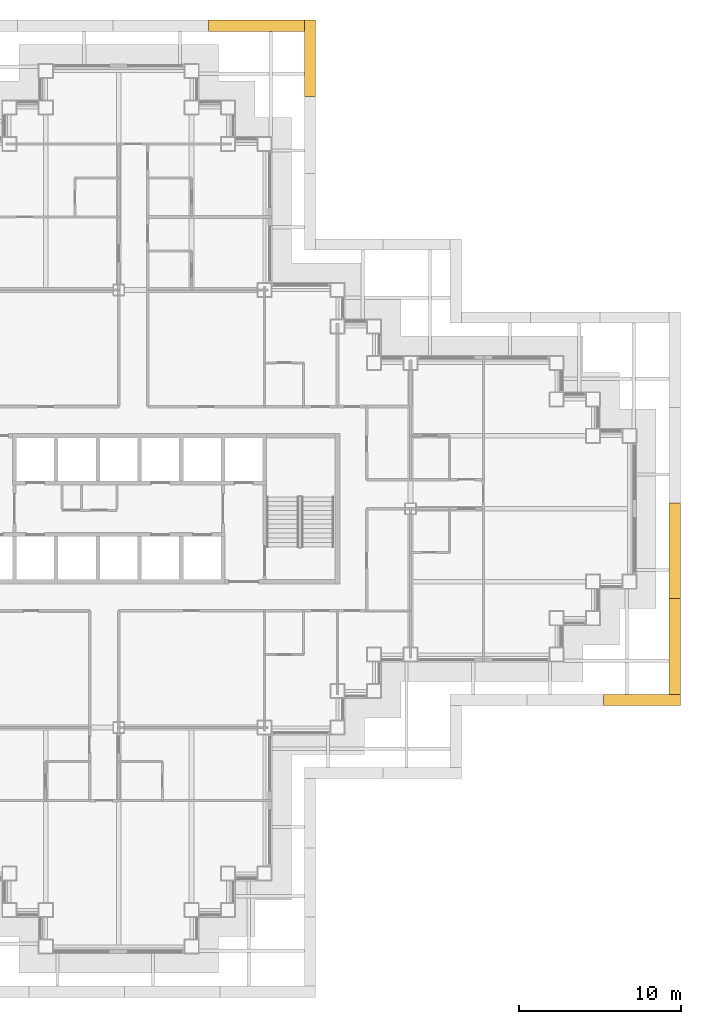
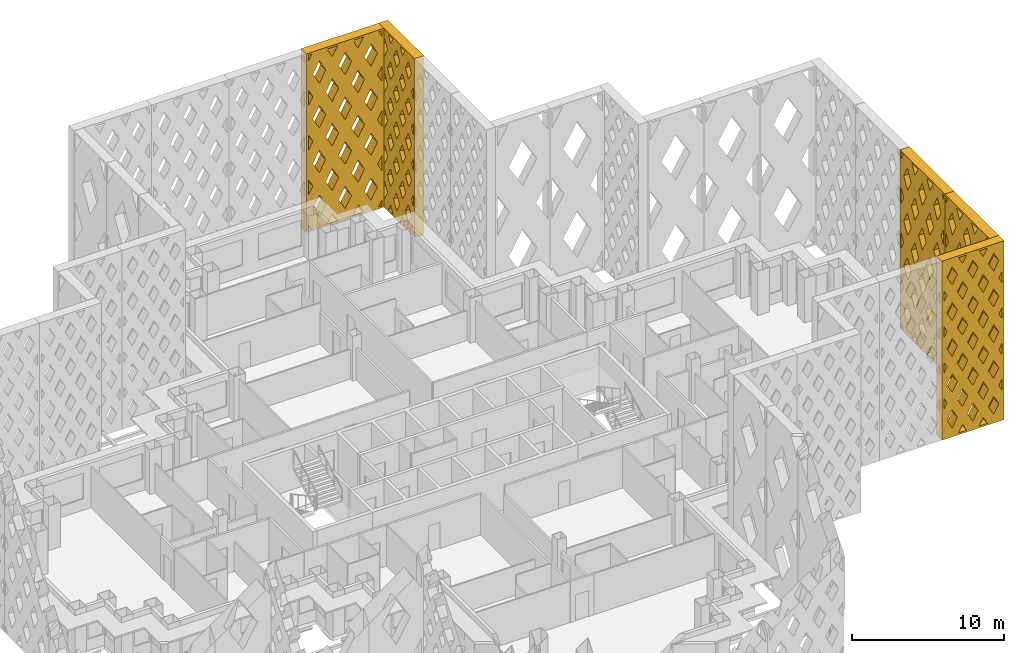
# One storey, part 20 of 21: 5 shading devices.
"""IFC4 building model written with IfcOpenShell, lengths in metres."""

from ifc_helpers import new_model, si_unit, direction, frame, origin, place, context, subcontext, project, spatial, polyline, outline, extrude, material, type_object, element, save


model = new_model("IFC4")

# Units and contexts
model_context = context("Model", 3, precision=1e-05, world=origin(), true_north=direction((0.0, 1.0)))
body_context = subcontext(model_context, "Body", "Model", "MODEL_VIEW")
ifc_project = project(units=[si_unit("LENGTHUNIT", "METRE"), si_unit("AREAUNIT", "SQUARE_METRE"), si_unit("VOLUMEUNIT", "CUBIC_METRE"), si_unit("PLANEANGLEUNIT", "RADIAN"), si_unit("MASSUNIT", "GRAM", prefix="KILO")], contexts=[model_context])

# Site, building, storey
site_placement = place(None, origin())
site = spatial("IfcSite", under=ifc_project, at=site_placement, CompositionType="ELEMENT")
building_placement = place(site_placement, origin())
building = spatial("IfcBuilding", under=site, at=building_placement, Name="Caravel Reach Hotel and Residences", CompositionType="ELEMENT")
storey_placement = place(building_placement, frame((0.0, 0.0, 115.199951171875)))
storey = spatial("IfcBuildingStorey", under=building, at=storey_placement, Name="L28", CompositionType="ELEMENT", Elevation=115.199951171875)

# Shading devices
ifc_material_1 = material(Name="Black powder-coated aluminium", Category="aluminium")
shading_device_type_1 = type_object("IfcShadingDeviceType", Name="Diamond lattice screen panel 4733 x 14400", PredefinedType="USERDEFINED", material=ifc_material_1)
shading_device_1_placement = place(storey_placement, frame((61.416748046875, 15.550048828125, 0.0), z_axis=(0.0, -1.0, 0.0), x_axis=(1.0, 0.0, 0.0)))
element("IfcShadingDevice", 1, at=shading_device_1_placement, inside=storey, type_object=shading_device_type_1, Name="Lattice screen L28-L31 6.3", ObjectType="SCREEN", PredefinedType="USERDEFINED", context=body_context, shape_type="SweptSolid", body=[
    extrude(outline(polyline([(0.0, 0.0), (4.7333984375, 0.0), (4.7333984375, 14.39990234375), (0.0, 14.39990234375), (0.0, 0.0)]), holes=[polyline([(0.39892578125, 2.8798828125), (0.14990234375, 3.334228515625), (0.14990234375, 2.42578125), (0.39892578125, 2.8798828125)]), polyline([(0.39892578125, 5.760009765625), (0.14990234375, 6.21435546875), (0.14990234375, 5.3056640625), (0.39892578125, 5.760009765625)]), polyline([(0.39892578125, 8.639892578125), (0.14990234375, 9.09423828125), (0.14990234375, 8.185791015625), (0.39892578125, 8.639892578125)]), polyline([(0.39892578125, 11.52001953125), (0.14990234375, 11.974365234375), (0.14990234375, 11.065673828125), (0.39892578125, 11.52001953125)]), polyline([(0.788818359375, 2.16796875), (0.39013671875, 1.43994140625), (0.788818359375, 0.7119140625), (1.187744140625, 1.43994140625), (0.788818359375, 2.16796875)]), polyline([(0.788818359375, 5.048095703125), (0.39013671875, 4.320068359375), (0.788818359375, 3.592041015625), (1.187744140625, 4.320068359375), (0.788818359375, 5.048095703125)]), polyline([(0.788818359375, 7.927978515625), (0.39013671875, 7.199951171875), (0.788818359375, 6.471923828125), (1.187744140625, 7.199951171875), (0.788818359375, 7.927978515625)]), polyline([(0.788818359375, 10.80810546875), (0.39013671875, 10.080078125), (0.788818359375, 9.35205078125), (1.187744140625, 10.080078125), (0.788818359375, 10.80810546875)]), polyline([(0.788818359375, 13.68798828125), (0.39013671875, 12.9599609375), (0.788818359375, 12.23193359375), (1.187744140625, 12.9599609375), (0.788818359375, 13.68798828125)]), polyline([(1.577880859375, 0.72802734375), (1.260986328125, 0.14990234375), (1.89453125, 0.14990234375), (1.577880859375, 0.72802734375)]), polyline([(1.577880859375, 3.608154296875), (1.178955078125, 2.8798828125), (1.577880859375, 2.15185546875), (1.9765625, 2.8798828125), (1.577880859375, 3.608154296875)]), polyline([(1.577880859375, 6.488037109375), (1.178955078125, 5.760009765625), (1.577880859375, 5.031982421875), (1.9765625, 5.760009765625), (1.577880859375, 6.488037109375)]), polyline([(1.577880859375, 9.3681640625), (1.178955078125, 8.639892578125), (1.577880859375, 7.911865234375), (1.9765625, 8.639892578125), (1.577880859375, 9.3681640625)]), polyline([(1.577880859375, 12.248046875), (1.178955078125, 11.52001953125), (1.577880859375, 10.7919921875), (1.9765625, 11.52001953125), (1.577880859375, 12.248046875)]), polyline([(1.577880859375, 13.671875), (1.89453125, 14.25), (1.260986328125, 14.25), (1.577880859375, 13.671875)]), polyline([(2.36669921875, 2.16796875), (1.9677734375, 1.43994140625), (2.36669921875, 0.7119140625), (2.765625, 1.43994140625), (2.36669921875, 2.16796875)]), polyline([(2.36669921875, 5.048095703125), (1.9677734375, 4.320068359375), (2.36669921875, 3.592041015625), (2.765625, 4.320068359375), (2.36669921875, 5.048095703125)]), polyline([(2.36669921875, 7.927978515625), (1.9677734375, 7.199951171875), (2.36669921875, 6.471923828125), (2.765625, 7.199951171875), (2.36669921875, 7.927978515625)]), polyline([(2.36669921875, 10.80810546875), (1.9677734375, 10.080078125), (2.36669921875, 9.35205078125), (2.765625, 10.080078125), (2.36669921875, 10.80810546875)]), polyline([(2.36669921875, 13.68798828125), (1.9677734375, 12.9599609375), (2.36669921875, 12.23193359375), (2.765625, 12.9599609375), (2.36669921875, 13.68798828125)]), polyline([(3.155517578125, 0.72802734375), (2.8388671875, 0.14990234375), (3.47216796875, 0.14990234375), (3.155517578125, 0.72802734375)]), polyline([(3.155517578125, 3.608154296875), (2.756591796875, 2.8798828125), (3.155517578125, 2.15185546875), (3.554443359375, 2.8798828125), (3.155517578125, 3.608154296875)]), polyline([(3.155517578125, 6.488037109375), (2.756591796875, 5.760009765625), (3.155517578125, 5.031982421875), (3.554443359375, 5.760009765625), (3.155517578125, 6.488037109375)]), polyline([(3.155517578125, 9.3681640625), (2.756591796875, 8.639892578125), (3.155517578125, 7.911865234375), (3.554443359375, 8.639892578125), (3.155517578125, 9.3681640625)]), polyline([(3.155517578125, 12.248046875), (2.756591796875, 11.52001953125), (3.155517578125, 10.7919921875), (3.554443359375, 11.52001953125), (3.155517578125, 12.248046875)]), polyline([(3.155517578125, 13.671875), (3.47216796875, 14.25), (2.8388671875, 14.25), (3.155517578125, 13.671875)]), polyline([(3.9443359375, 2.16796875), (3.545654296875, 1.43994140625), (3.9443359375, 0.7119140625), (4.34326171875, 1.43994140625), (3.9443359375, 2.16796875)]), polyline([(3.9443359375, 5.048095703125), (3.545654296875, 4.320068359375), (3.9443359375, 3.592041015625), (4.34326171875, 4.320068359375), (3.9443359375, 5.048095703125)]), polyline([(3.9443359375, 7.927978515625), (3.545654296875, 7.199951171875), (3.9443359375, 6.471923828125), (4.34326171875, 7.199951171875), (3.9443359375, 7.927978515625)]), polyline([(3.9443359375, 10.80810546875), (3.545654296875, 10.080078125), (3.9443359375, 9.35205078125), (4.34326171875, 10.080078125), (3.9443359375, 10.80810546875)]), polyline([(3.9443359375, 13.68798828125), (3.545654296875, 12.9599609375), (3.9443359375, 12.23193359375), (4.34326171875, 12.9599609375), (3.9443359375, 13.68798828125)]), polyline([(4.33447265625, 2.8798828125), (4.583251953125, 2.42578125), (4.583251953125, 3.334228515625), (4.33447265625, 2.8798828125)]), polyline([(4.33447265625, 5.760009765625), (4.583251953125, 5.3056640625), (4.583251953125, 6.21435546875), (4.33447265625, 5.760009765625)]), polyline([(4.33447265625, 8.639892578125), (4.583251953125, 8.185791015625), (4.583251953125, 9.09423828125), (4.33447265625, 8.639892578125)]), polyline([(4.33447265625, 11.52001953125), (4.583251953125, 11.065673828125), (4.583251953125, 11.974365234375), (4.33447265625, 11.52001953125)])]), origin(), (0.0, 0.0, 1.0), 0.699951171875),
])
shading_device_2_placement = place(storey_placement, frame((42.949951171875, 52.416748046875, 0.0), z_axis=(1.0, 0.0, 0.0), x_axis=(0.0, 1.0, 0.0)))
element("IfcShadingDevice", 2, at=shading_device_2_placement, inside=storey, type_object=shading_device_type_1, Name="Lattice screen L28-L31 11.3", ObjectType="SCREEN", PredefinedType="USERDEFINED", context=body_context, shape_type="SweptSolid", body=[
    extrude(outline(polyline([(0.0, 0.0), (4.7333984375, 0.0), (4.7333984375, 14.39990234375), (0.0, 14.39990234375), (0.0, 0.0)]), holes=[polyline([(0.39892578125, 2.8798828125), (0.14990234375, 3.334228515625), (0.14990234375, 2.42578125), (0.39892578125, 2.8798828125)]), polyline([(0.39892578125, 5.760009765625), (0.14990234375, 6.21435546875), (0.14990234375, 5.3056640625), (0.39892578125, 5.760009765625)]), polyline([(0.39892578125, 8.639892578125), (0.14990234375, 9.09423828125), (0.14990234375, 8.185791015625), (0.39892578125, 8.639892578125)]), polyline([(0.39892578125, 11.52001953125), (0.14990234375, 11.974365234375), (0.14990234375, 11.065673828125), (0.39892578125, 11.52001953125)]), polyline([(0.788818359375, 2.16796875), (0.39013671875, 1.43994140625), (0.788818359375, 0.7119140625), (1.187744140625, 1.43994140625), (0.788818359375, 2.16796875)]), polyline([(0.788818359375, 5.048095703125), (0.39013671875, 4.320068359375), (0.788818359375, 3.592041015625), (1.187744140625, 4.320068359375), (0.788818359375, 5.048095703125)]), polyline([(0.788818359375, 7.927978515625), (0.39013671875, 7.199951171875), (0.788818359375, 6.471923828125), (1.187744140625, 7.199951171875), (0.788818359375, 7.927978515625)]), polyline([(0.788818359375, 10.80810546875), (0.39013671875, 10.080078125), (0.788818359375, 9.35205078125), (1.187744140625, 10.080078125), (0.788818359375, 10.80810546875)]), polyline([(0.788818359375, 13.68798828125), (0.39013671875, 12.9599609375), (0.788818359375, 12.23193359375), (1.187744140625, 12.9599609375), (0.788818359375, 13.68798828125)]), polyline([(1.577880859375, 0.72802734375), (1.260986328125, 0.14990234375), (1.89453125, 0.14990234375), (1.577880859375, 0.72802734375)]), polyline([(1.577880859375, 3.608154296875), (1.178955078125, 2.8798828125), (1.577880859375, 2.15185546875), (1.9765625, 2.8798828125), (1.577880859375, 3.608154296875)]), polyline([(1.577880859375, 6.488037109375), (1.178955078125, 5.760009765625), (1.577880859375, 5.031982421875), (1.9765625, 5.760009765625), (1.577880859375, 6.488037109375)]), polyline([(1.577880859375, 9.3681640625), (1.178955078125, 8.639892578125), (1.577880859375, 7.911865234375), (1.9765625, 8.639892578125), (1.577880859375, 9.3681640625)]), polyline([(1.577880859375, 12.248046875), (1.178955078125, 11.52001953125), (1.577880859375, 10.7919921875), (1.9765625, 11.52001953125), (1.577880859375, 12.248046875)]), polyline([(1.577880859375, 13.671875), (1.89453125, 14.25), (1.260986328125, 14.25), (1.577880859375, 13.671875)]), polyline([(2.36669921875, 2.16796875), (1.9677734375, 1.43994140625), (2.36669921875, 0.7119140625), (2.765625, 1.43994140625), (2.36669921875, 2.16796875)]), polyline([(2.36669921875, 5.048095703125), (1.9677734375, 4.320068359375), (2.36669921875, 3.592041015625), (2.765625, 4.320068359375), (2.36669921875, 5.048095703125)]), polyline([(2.36669921875, 7.927978515625), (1.9677734375, 7.199951171875), (2.36669921875, 6.471923828125), (2.765625, 7.199951171875), (2.36669921875, 7.927978515625)]), polyline([(2.36669921875, 10.80810546875), (1.9677734375, 10.080078125), (2.36669921875, 9.35205078125), (2.765625, 10.080078125), (2.36669921875, 10.80810546875)]), polyline([(2.36669921875, 13.68798828125), (1.9677734375, 12.9599609375), (2.36669921875, 12.23193359375), (2.765625, 12.9599609375), (2.36669921875, 13.68798828125)]), polyline([(3.155517578125, 0.72802734375), (2.8388671875, 0.14990234375), (3.47216796875, 0.14990234375), (3.155517578125, 0.72802734375)]), polyline([(3.155517578125, 3.608154296875), (2.756591796875, 2.8798828125), (3.155517578125, 2.15185546875), (3.554443359375, 2.8798828125), (3.155517578125, 3.608154296875)]), polyline([(3.155517578125, 6.488037109375), (2.756591796875, 5.760009765625), (3.155517578125, 5.031982421875), (3.554443359375, 5.760009765625), (3.155517578125, 6.488037109375)]), polyline([(3.155517578125, 9.3681640625), (2.756591796875, 8.639892578125), (3.155517578125, 7.911865234375), (3.554443359375, 8.639892578125), (3.155517578125, 9.3681640625)]), polyline([(3.155517578125, 12.248046875), (2.756591796875, 11.52001953125), (3.155517578125, 10.7919921875), (3.554443359375, 11.52001953125), (3.155517578125, 12.248046875)]), polyline([(3.155517578125, 13.671875), (3.47216796875, 14.25), (2.8388671875, 14.25), (3.155517578125, 13.671875)]), polyline([(3.9443359375, 2.16796875), (3.545654296875, 1.43994140625), (3.9443359375, 0.7119140625), (4.34326171875, 1.43994140625), (3.9443359375, 2.16796875)]), polyline([(3.9443359375, 5.048095703125), (3.545654296875, 4.320068359375), (3.9443359375, 3.592041015625), (4.34326171875, 4.320068359375), (3.9443359375, 5.048095703125)]), polyline([(3.9443359375, 7.927978515625), (3.545654296875, 7.199951171875), (3.9443359375, 6.471923828125), (4.34326171875, 7.199951171875), (3.9443359375, 7.927978515625)]), polyline([(3.9443359375, 10.80810546875), (3.545654296875, 10.080078125), (3.9443359375, 9.35205078125), (4.34326171875, 10.080078125), (3.9443359375, 10.80810546875)]), polyline([(3.9443359375, 13.68798828125), (3.545654296875, 12.9599609375), (3.9443359375, 12.23193359375), (4.34326171875, 12.9599609375), (3.9443359375, 13.68798828125)]), polyline([(4.33447265625, 2.8798828125), (4.583251953125, 2.42578125), (4.583251953125, 3.334228515625), (4.33447265625, 2.8798828125)]), polyline([(4.33447265625, 5.760009765625), (4.583251953125, 5.3056640625), (4.583251953125, 6.21435546875), (4.33447265625, 5.760009765625)]), polyline([(4.33447265625, 8.639892578125), (4.583251953125, 8.185791015625), (4.583251953125, 9.09423828125), (4.33447265625, 8.639892578125)]), polyline([(4.33447265625, 11.52001953125), (4.583251953125, 11.065673828125), (4.583251953125, 11.974365234375), (4.33447265625, 11.52001953125)])]), origin(), (0.0, 0.0, 1.0), 0.699951171875),
])
ifc_material_2 = material(Name="Black powder-coated aluminium", Category="aluminium")
shading_device_type_2 = type_object("IfcShadingDeviceType", Name="Diamond lattice screen panel 5900 x 14400", PredefinedType="USERDEFINED", material=ifc_material_2)
shading_device_3_placement = place(storey_placement, frame((65.449951171875, 15.550048828125, 0.0), z_axis=(1.0, 0.0, 0.0), x_axis=(0.0, 1.0, 0.0)))
element("IfcShadingDevice", 3, at=shading_device_3_placement, inside=storey, type_object=shading_device_type_2, Name="Lattice screen L28-L31 7.1", ObjectType="SCREEN", PredefinedType="USERDEFINED", context=body_context, shape_type="SweptSolid", body=[
    extrude(outline(polyline([(0.0, 0.0), (5.89990234375, 0.0), (5.89990234375, 14.39990234375), (0.0, 14.39990234375), (0.0, 0.0)]), holes=[polyline([(0.40966796875, 0.14990234375), (0.14990234375, 0.62548828125), (0.14990234375, 0.14990234375), (0.40966796875, 0.14990234375)]), polyline([(0.49169921875, 3.60009765625), (0.14990234375, 4.2255859375), (0.14990234375, 2.974609375), (0.49169921875, 3.60009765625)]), polyline([(0.49169921875, 7.199951171875), (0.14990234375, 7.825439453125), (0.14990234375, 6.574462890625), (0.49169921875, 7.199951171875)]), polyline([(0.49169921875, 10.800048828125), (0.14990234375, 11.425537109375), (0.14990234375, 10.174560546875), (0.49169921875, 10.800048828125)]), polyline([(0.14990234375, 13.7744140625), (0.40966796875, 14.25), (0.14990234375, 14.25), (0.14990234375, 13.7744140625)]), polyline([(0.9833984375, 2.699951171875), (0.49169921875, 1.800048828125), (0.9833984375, 0.89990234375), (1.47509765625, 1.800048828125), (0.9833984375, 2.699951171875)]), polyline([(0.9833984375, 6.300048828125), (0.49169921875, 5.39990234375), (0.9833984375, 4.5), (1.47509765625, 5.39990234375), (0.9833984375, 6.300048828125)]), polyline([(0.9833984375, 9.900146484375), (0.49169921875, 9.0), (0.9833984375, 8.099853515625), (1.47509765625, 9.0), (0.9833984375, 9.900146484375)]), polyline([(0.9833984375, 13.5), (0.49169921875, 12.60009765625), (0.9833984375, 11.699951171875), (1.47509765625, 12.60009765625), (0.9833984375, 13.5)]), polyline([(1.966552734375, 0.900146484375), (1.556884765625, 0.14990234375), (2.37646484375, 0.14990234375), (1.966552734375, 0.900146484375)]), polyline([(1.966552734375, 4.5), (1.474853515625, 3.60009765625), (1.966552734375, 2.699951171875), (2.458251953125, 3.60009765625), (1.966552734375, 4.5)]), polyline([(1.966552734375, 8.10009765625), (1.474853515625, 7.199951171875), (1.966552734375, 6.300048828125), (2.458251953125, 7.199951171875), (1.966552734375, 8.10009765625)]), polyline([(1.966552734375, 11.699951171875), (1.474853515625, 10.800048828125), (1.966552734375, 9.89990234375), (2.458251953125, 10.800048828125), (1.966552734375, 11.699951171875)]), polyline([(1.966552734375, 13.5), (2.37646484375, 14.25), (1.556884765625, 14.25), (1.966552734375, 13.5)]), polyline([(2.949951171875, 2.699951171875), (2.458251953125, 1.800048828125), (2.949951171875, 0.89990234375), (3.441650390625, 1.800048828125), (2.949951171875, 2.699951171875)]), polyline([(2.949951171875, 6.300048828125), (2.458251953125, 5.39990234375), (2.949951171875, 4.5), (3.441650390625, 5.39990234375), (2.949951171875, 6.300048828125)]), polyline([(2.949951171875, 9.900146484375), (2.458251953125, 9.0), (2.949951171875, 8.099853515625), (3.441650390625, 9.0), (2.949951171875, 9.900146484375)]), polyline([(2.949951171875, 13.5), (2.458251953125, 12.60009765625), (2.949951171875, 11.699951171875), (3.441650390625, 12.60009765625), (2.949951171875, 13.5)]), polyline([(3.933349609375, 0.900146484375), (3.523681640625, 0.14990234375), (4.343017578125, 0.14990234375), (3.933349609375, 0.900146484375)]), polyline([(3.933349609375, 4.5), (3.441650390625, 3.60009765625), (3.933349609375, 2.699951171875), (4.425048828125, 3.60009765625), (3.933349609375, 4.5)]), polyline([(3.933349609375, 8.10009765625), (3.441650390625, 7.199951171875), (3.933349609375, 6.300048828125), (4.425048828125, 7.199951171875), (3.933349609375, 8.10009765625)]), polyline([(3.933349609375, 11.699951171875), (3.441650390625, 10.800048828125), (3.933349609375, 9.89990234375), (4.425048828125, 10.800048828125), (3.933349609375, 11.699951171875)]), polyline([(3.933349609375, 13.5), (4.343017578125, 14.25), (3.523681640625, 14.25), (3.933349609375, 13.5)]), polyline([(4.916748046875, 2.699951171875), (4.425048828125, 1.800048828125), (4.916748046875, 0.89990234375), (5.408447265625, 1.800048828125), (4.916748046875, 2.699951171875)]), polyline([(4.916748046875, 6.300048828125), (4.425048828125, 5.39990234375), (4.916748046875, 4.5), (5.408447265625, 5.39990234375), (4.916748046875, 6.300048828125)]), polyline([(4.916748046875, 9.900146484375), (4.425048828125, 9.0), (4.916748046875, 8.099853515625), (5.408447265625, 9.0), (4.916748046875, 9.900146484375)]), polyline([(4.916748046875, 13.5), (4.425048828125, 12.60009765625), (4.916748046875, 11.699951171875), (5.408447265625, 12.60009765625), (4.916748046875, 13.5)]), polyline([(5.75, 0.62548828125), (5.490234375, 0.14990234375), (5.75, 0.14990234375), (5.75, 0.62548828125)]), polyline([(5.408203125, 3.60009765625), (5.75, 2.974609375), (5.75, 4.2255859375), (5.408203125, 3.60009765625)]), polyline([(5.408203125, 7.199951171875), (5.75, 6.574462890625), (5.75, 7.825439453125), (5.408203125, 7.199951171875)]), polyline([(5.408203125, 10.800048828125), (5.75, 10.174560546875), (5.75, 11.425537109375), (5.408203125, 10.800048828125)]), polyline([(5.490234375, 14.25), (5.75, 13.7744140625), (5.75, 14.25), (5.490234375, 14.25)])]), origin(), (0.0, 0.0, 1.0), 0.699951171875),
])
shading_device_4_placement = place(storey_placement, frame((65.449951171875, 21.449951171875, 0.0), z_axis=(1.0, 0.0, 0.0), x_axis=(0.0, 1.0, 0.0)))
element("IfcShadingDevice", 4, at=shading_device_4_placement, inside=storey, type_object=shading_device_type_2, Name="Lattice screen L28-L31 7.2", ObjectType="SCREEN", PredefinedType="USERDEFINED", context=body_context, shape_type="SweptSolid", body=[
    extrude(outline(polyline([(0.0, 0.0), (5.89990234375, 0.0), (5.89990234375, 14.39990234375), (0.0, 14.39990234375), (0.0, 0.0)]), holes=[polyline([(0.40966796875, 0.14990234375), (0.14990234375, 0.62548828125), (0.14990234375, 0.14990234375), (0.40966796875, 0.14990234375)]), polyline([(0.49169921875, 3.60009765625), (0.14990234375, 4.2255859375), (0.14990234375, 2.974609375), (0.49169921875, 3.60009765625)]), polyline([(0.49169921875, 7.199951171875), (0.14990234375, 7.825439453125), (0.14990234375, 6.574462890625), (0.49169921875, 7.199951171875)]), polyline([(0.49169921875, 10.800048828125), (0.14990234375, 11.425537109375), (0.14990234375, 10.174560546875), (0.49169921875, 10.800048828125)]), polyline([(0.14990234375, 13.7744140625), (0.40966796875, 14.25), (0.14990234375, 14.25), (0.14990234375, 13.7744140625)]), polyline([(0.9833984375, 2.699951171875), (0.49169921875, 1.800048828125), (0.9833984375, 0.89990234375), (1.47509765625, 1.800048828125), (0.9833984375, 2.699951171875)]), polyline([(0.9833984375, 6.300048828125), (0.49169921875, 5.39990234375), (0.9833984375, 4.5), (1.47509765625, 5.39990234375), (0.9833984375, 6.300048828125)]), polyline([(0.9833984375, 9.900146484375), (0.49169921875, 9.0), (0.9833984375, 8.099853515625), (1.47509765625, 9.0), (0.9833984375, 9.900146484375)]), polyline([(0.9833984375, 13.5), (0.49169921875, 12.60009765625), (0.9833984375, 11.699951171875), (1.47509765625, 12.60009765625), (0.9833984375, 13.5)]), polyline([(1.966552734375, 0.900146484375), (1.556884765625, 0.14990234375), (2.37646484375, 0.14990234375), (1.966552734375, 0.900146484375)]), polyline([(1.966552734375, 4.5), (1.474853515625, 3.60009765625), (1.966552734375, 2.699951171875), (2.458251953125, 3.60009765625), (1.966552734375, 4.5)]), polyline([(1.966552734375, 8.10009765625), (1.474853515625, 7.199951171875), (1.966552734375, 6.300048828125), (2.458251953125, 7.199951171875), (1.966552734375, 8.10009765625)]), polyline([(1.966552734375, 11.699951171875), (1.474853515625, 10.800048828125), (1.966552734375, 9.89990234375), (2.458251953125, 10.800048828125), (1.966552734375, 11.699951171875)]), polyline([(1.966552734375, 13.5), (2.37646484375, 14.25), (1.556884765625, 14.25), (1.966552734375, 13.5)]), polyline([(2.949951171875, 2.699951171875), (2.458251953125, 1.800048828125), (2.949951171875, 0.89990234375), (3.441650390625, 1.800048828125), (2.949951171875, 2.699951171875)]), polyline([(2.949951171875, 6.300048828125), (2.458251953125, 5.39990234375), (2.949951171875, 4.5), (3.441650390625, 5.39990234375), (2.949951171875, 6.300048828125)]), polyline([(2.949951171875, 9.900146484375), (2.458251953125, 9.0), (2.949951171875, 8.099853515625), (3.441650390625, 9.0), (2.949951171875, 9.900146484375)]), polyline([(2.949951171875, 13.5), (2.458251953125, 12.60009765625), (2.949951171875, 11.699951171875), (3.441650390625, 12.60009765625), (2.949951171875, 13.5)]), polyline([(3.933349609375, 0.900146484375), (3.523681640625, 0.14990234375), (4.343017578125, 0.14990234375), (3.933349609375, 0.900146484375)]), polyline([(3.933349609375, 4.5), (3.441650390625, 3.60009765625), (3.933349609375, 2.699951171875), (4.425048828125, 3.60009765625), (3.933349609375, 4.5)]), polyline([(3.933349609375, 8.10009765625), (3.441650390625, 7.199951171875), (3.933349609375, 6.300048828125), (4.425048828125, 7.199951171875), (3.933349609375, 8.10009765625)]), polyline([(3.933349609375, 11.699951171875), (3.441650390625, 10.800048828125), (3.933349609375, 9.89990234375), (4.425048828125, 10.800048828125), (3.933349609375, 11.699951171875)]), polyline([(3.933349609375, 13.5), (4.343017578125, 14.25), (3.523681640625, 14.25), (3.933349609375, 13.5)]), polyline([(4.916748046875, 2.699951171875), (4.425048828125, 1.800048828125), (4.916748046875, 0.89990234375), (5.408447265625, 1.800048828125), (4.916748046875, 2.699951171875)]), polyline([(4.916748046875, 6.300048828125), (4.425048828125, 5.39990234375), (4.916748046875, 4.5), (5.408447265625, 5.39990234375), (4.916748046875, 6.300048828125)]), polyline([(4.916748046875, 9.900146484375), (4.425048828125, 9.0), (4.916748046875, 8.099853515625), (5.408447265625, 9.0), (4.916748046875, 9.900146484375)]), polyline([(4.916748046875, 13.5), (4.425048828125, 12.60009765625), (4.916748046875, 11.699951171875), (5.408447265625, 12.60009765625), (4.916748046875, 13.5)]), polyline([(5.75, 0.62548828125), (5.490234375, 0.14990234375), (5.75, 0.14990234375), (5.75, 0.62548828125)]), polyline([(5.408203125, 3.60009765625), (5.75, 2.974609375), (5.75, 4.2255859375), (5.408203125, 3.60009765625)]), polyline([(5.408203125, 7.199951171875), (5.75, 6.574462890625), (5.75, 7.825439453125), (5.408203125, 7.199951171875)]), polyline([(5.408203125, 10.800048828125), (5.75, 10.174560546875), (5.75, 11.425537109375), (5.408203125, 10.800048828125)]), polyline([(5.490234375, 14.25), (5.75, 13.7744140625), (5.75, 14.25), (5.490234375, 14.25)])]), origin(), (0.0, 0.0, 1.0), 0.699951171875),
])
shading_device_5_placement = place(storey_placement, frame((42.949951171875, 56.449951171875, 0.0), z_axis=(0.0, 1.0, 0.0), x_axis=(-1.0, 0.0, 0.0)))
element("IfcShadingDevice", 5, at=shading_device_5_placement, inside=storey, type_object=shading_device_type_2, Name="Lattice screen L28-L31 12.1", ObjectType="SCREEN", PredefinedType="USERDEFINED", context=body_context, shape_type="SweptSolid", body=[
    extrude(outline(polyline([(0.0, 0.0), (5.89990234375, 0.0), (5.89990234375, 14.39990234375), (0.0, 14.39990234375), (0.0, 0.0)]), holes=[polyline([(0.40966796875, 0.14990234375), (0.14990234375, 0.62548828125), (0.14990234375, 0.14990234375), (0.40966796875, 0.14990234375)]), polyline([(0.49169921875, 3.60009765625), (0.14990234375, 4.2255859375), (0.14990234375, 2.974609375), (0.49169921875, 3.60009765625)]), polyline([(0.49169921875, 7.199951171875), (0.14990234375, 7.825439453125), (0.14990234375, 6.574462890625), (0.49169921875, 7.199951171875)]), polyline([(0.49169921875, 10.800048828125), (0.14990234375, 11.425537109375), (0.14990234375, 10.174560546875), (0.49169921875, 10.800048828125)]), polyline([(0.14990234375, 13.7744140625), (0.40966796875, 14.25), (0.14990234375, 14.25), (0.14990234375, 13.7744140625)]), polyline([(0.9833984375, 2.699951171875), (0.49169921875, 1.800048828125), (0.9833984375, 0.89990234375), (1.47509765625, 1.800048828125), (0.9833984375, 2.699951171875)]), polyline([(0.9833984375, 6.300048828125), (0.49169921875, 5.39990234375), (0.9833984375, 4.5), (1.47509765625, 5.39990234375), (0.9833984375, 6.300048828125)]), polyline([(0.9833984375, 9.900146484375), (0.49169921875, 9.0), (0.9833984375, 8.099853515625), (1.47509765625, 9.0), (0.9833984375, 9.900146484375)]), polyline([(0.9833984375, 13.5), (0.49169921875, 12.60009765625), (0.9833984375, 11.699951171875), (1.47509765625, 12.60009765625), (0.9833984375, 13.5)]), polyline([(1.966552734375, 0.900146484375), (1.556884765625, 0.14990234375), (2.37646484375, 0.14990234375), (1.966552734375, 0.900146484375)]), polyline([(1.966552734375, 4.5), (1.474853515625, 3.60009765625), (1.966552734375, 2.699951171875), (2.458251953125, 3.60009765625), (1.966552734375, 4.5)]), polyline([(1.966552734375, 8.10009765625), (1.474853515625, 7.199951171875), (1.966552734375, 6.300048828125), (2.458251953125, 7.199951171875), (1.966552734375, 8.10009765625)]), polyline([(1.966552734375, 11.699951171875), (1.474853515625, 10.800048828125), (1.966552734375, 9.89990234375), (2.458251953125, 10.800048828125), (1.966552734375, 11.699951171875)]), polyline([(1.966552734375, 13.5), (2.37646484375, 14.25), (1.556884765625, 14.25), (1.966552734375, 13.5)]), polyline([(2.949951171875, 2.699951171875), (2.458251953125, 1.800048828125), (2.949951171875, 0.89990234375), (3.441650390625, 1.800048828125), (2.949951171875, 2.699951171875)]), polyline([(2.949951171875, 6.300048828125), (2.458251953125, 5.39990234375), (2.949951171875, 4.5), (3.441650390625, 5.39990234375), (2.949951171875, 6.300048828125)]), polyline([(2.949951171875, 9.900146484375), (2.458251953125, 9.0), (2.949951171875, 8.099853515625), (3.441650390625, 9.0), (2.949951171875, 9.900146484375)]), polyline([(2.949951171875, 13.5), (2.458251953125, 12.60009765625), (2.949951171875, 11.699951171875), (3.441650390625, 12.60009765625), (2.949951171875, 13.5)]), polyline([(3.933349609375, 0.900146484375), (3.523681640625, 0.14990234375), (4.343017578125, 0.14990234375), (3.933349609375, 0.900146484375)]), polyline([(3.933349609375, 4.5), (3.441650390625, 3.60009765625), (3.933349609375, 2.699951171875), (4.425048828125, 3.60009765625), (3.933349609375, 4.5)]), polyline([(3.933349609375, 8.10009765625), (3.441650390625, 7.199951171875), (3.933349609375, 6.300048828125), (4.425048828125, 7.199951171875), (3.933349609375, 8.10009765625)]), polyline([(3.933349609375, 11.699951171875), (3.441650390625, 10.800048828125), (3.933349609375, 9.89990234375), (4.425048828125, 10.800048828125), (3.933349609375, 11.699951171875)]), polyline([(3.933349609375, 13.5), (4.343017578125, 14.25), (3.523681640625, 14.25), (3.933349609375, 13.5)]), polyline([(4.916748046875, 2.699951171875), (4.425048828125, 1.800048828125), (4.916748046875, 0.89990234375), (5.408447265625, 1.800048828125), (4.916748046875, 2.699951171875)]), polyline([(4.916748046875, 6.300048828125), (4.425048828125, 5.39990234375), (4.916748046875, 4.5), (5.408447265625, 5.39990234375), (4.916748046875, 6.300048828125)]), polyline([(4.916748046875, 9.900146484375), (4.425048828125, 9.0), (4.916748046875, 8.099853515625), (5.408447265625, 9.0), (4.916748046875, 9.900146484375)]), polyline([(4.916748046875, 13.5), (4.425048828125, 12.60009765625), (4.916748046875, 11.699951171875), (5.408447265625, 12.60009765625), (4.916748046875, 13.5)]), polyline([(5.75, 0.62548828125), (5.490234375, 0.14990234375), (5.75, 0.14990234375), (5.75, 0.62548828125)]), polyline([(5.408203125, 3.60009765625), (5.75, 2.974609375), (5.75, 4.2255859375), (5.408203125, 3.60009765625)]), polyline([(5.408203125, 7.199951171875), (5.75, 6.574462890625), (5.75, 7.825439453125), (5.408203125, 7.199951171875)]), polyline([(5.408203125, 10.800048828125), (5.75, 10.174560546875), (5.75, 11.425537109375), (5.408203125, 10.800048828125)]), polyline([(5.490234375, 14.25), (5.75, 13.7744140625), (5.75, 14.25), (5.490234375, 14.25)])]), origin(), (0.0, 0.0, 1.0), 0.699951171875),
])

save(model, "model.ifc")
